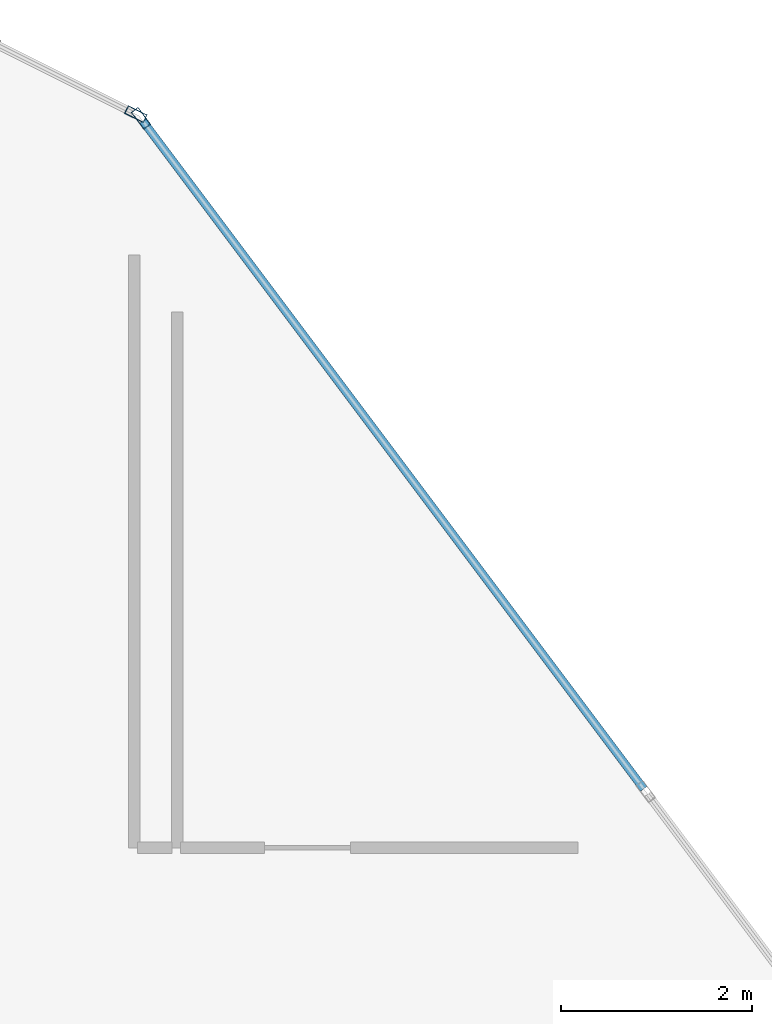
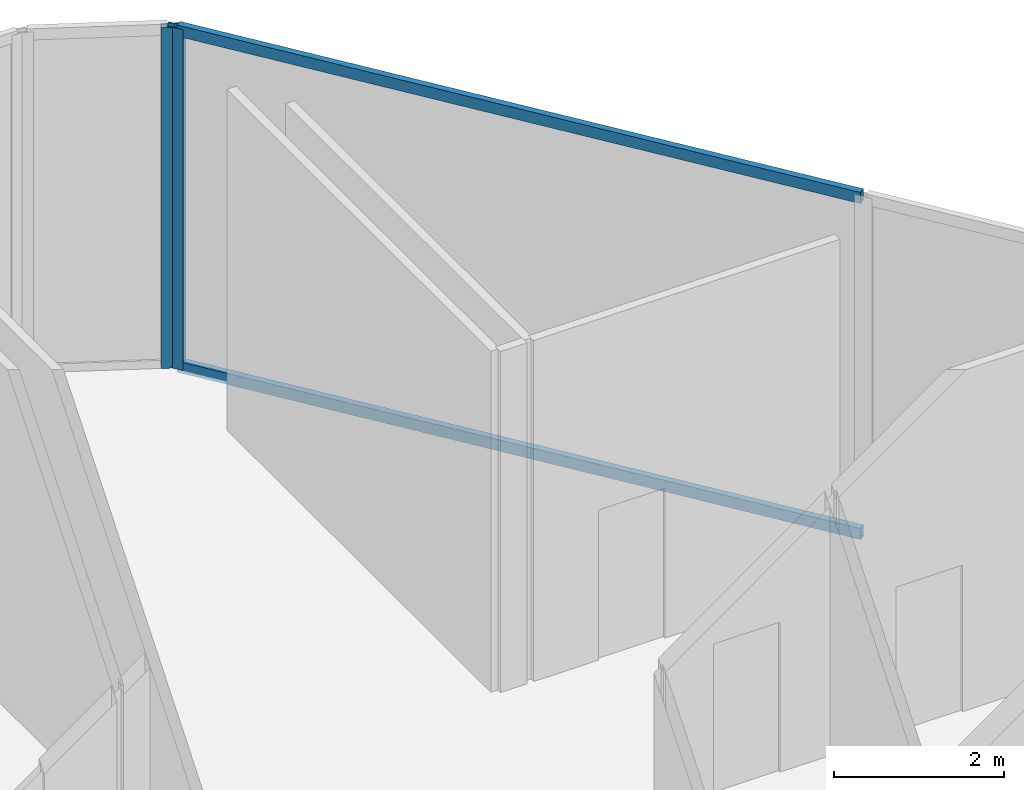
# One storey, part 18 of 36: 4 members, 2 elements without a shape of their own.
"""IFC4 building model written with IfcOpenShell, lengths in metres."""

from ifc_helpers import new_model, si_unit, direction, frame, origin, origin_2d, place, context, subcontext, project, spatial, hollow_rectangle, extrude, material, layer, layer_set, material_profile, profile_set, type_object, element, aggregate, save


model = new_model("IFC4")

# Units and contexts
model_context = context("Model", 3, precision=1e-05, world=origin(), true_north=direction((0.0, 1.0)))
body_context = subcontext(model_context, "Body", "Model", "MODEL_VIEW")
ifc_project = project(units=[si_unit("LENGTHUNIT", "METRE"), si_unit("AREAUNIT", "SQUARE_METRE"), si_unit("VOLUMEUNIT", "CUBIC_METRE"), si_unit("PLANEANGLEUNIT", "RADIAN"), si_unit("MASSUNIT", "GRAM", prefix="KILO")], contexts=[model_context])

# Site, building, storey
site_placement = place(None, origin())
site = spatial("IfcSite", under=ifc_project, at=site_placement, CompositionType="ELEMENT")
building_placement = place(site_placement, origin())
building = spatial("IfcBuilding", under=site, at=building_placement, Name="Keshet Zoharim Tower", CompositionType="ELEMENT")
storey_placement = place(building_placement, frame((0.0, 0.0, 81.199951171875)))
storey = spatial("IfcBuildingStorey", under=building, at=storey_placement, Name="L19", CompositionType="ELEMENT", Elevation=81.199951171875)

# Curtain wall, member
ifc_material = material(Name="Aluminium 6063-T6", Category="aluminium")
ifc_layer = layer(ifc_material, 0.169921875)
ifc_layer_set = layer_set([ifc_layer], Name="Aluminium 6063-T6")
curtain_wall_type = type_object("IfcCurtainWallType", Name="CW-SYS-02", PredefinedType="NOTDEFINED", material=ifc_layer_set)
curtain_wall_1_placement = place(storey_placement, origin())
curtain_wall_1 = element("IfcCurtainWall", 1, at=curtain_wall_1_placement, inside=storey, type_object=curtain_wall_type, Name="L19 Unitised Curtain Wall 08", PredefinedType="NOTDEFINED")
ifc_material_profile_1 = material_profile(ifc_material, hollow_rectangle(XDim=0.090087890625, YDim=0.219970703125, WallThickness=0.0048828125, at=origin_2d()), Name="MUL-90x220")
ifc_profile_set_1 = profile_set([ifc_material_profile_1], Name="Aluminium 6063-T6")
member_type_1 = type_object("IfcMemberType", Name="CWM-M22", PredefinedType="MULLION", material=ifc_profile_set_1)
member_1_placement = place(storey_placement, frame((51.568603515625, 53.11572265625, 0.0), z_axis=(0.0, 0.0, 1.0), x_axis=(0.447213595499, 0.894427191001, 0.0)))
member_1 = element("IfcMember", 2, at=member_1_placement, type_object=member_type_1, Name="CW-02 mullion 2", PredefinedType="MULLION", context=body_context, shape_type="SweptSolid", body=[
    extrude(hollow_rectangle(XDim=0.090087890625, YDim=0.219970703125, WallThickness=0.0048828125, at=origin_2d()), origin(), (0.0, 0.0, 1.0), 4.885009765625),
])
aggregate(curtain_wall_1, [member_1])

# Curtain wall, members
curtain_wall_2_placement = place(storey_placement, origin())
curtain_wall_2 = element("IfcCurtainWall", 3, at=curtain_wall_2_placement, inside=storey, type_object=curtain_wall_type, Name="L19 Unitised Curtain Wall 09", PredefinedType="NOTDEFINED")
member_2_placement = place(storey_placement, frame((51.62109375, 53.072021484375, 0.0), z_axis=(0.0, 0.0, 1.0), x_axis=(0.799999999998, 0.600000000002, 0.0)))
member_2 = element("IfcMember", 4, at=member_2_placement, type_object=member_type_1, Name="CW-02 mullion 1", PredefinedType="MULLION", context=body_context, shape_type="SweptSolid", body=[
    extrude(hollow_rectangle(XDim=0.090087890625, YDim=0.219970703125, WallThickness=0.0048828125, at=origin_2d()), origin(), (0.0, 0.0, 1.0), 4.885009765625),
])
ifc_material_profile_2 = material_profile(ifc_material, hollow_rectangle(XDim=0.0849609375, YDim=0.159912109375, WallThickness=0.00439453125, at=origin_2d()), Name="TRN-85x160")
ifc_profile_set_2 = profile_set([ifc_material_profile_2], Name="Aluminium 6063-T6")
member_type_2 = type_object("IfcMemberType", Name="CWT-T16", PredefinedType="USERDEFINED", material=ifc_profile_set_2)
member_3_placement = place(storey_placement, frame((51.64208984375, 53.0439453125, 0.03515625), z_axis=(0.599991043201, -0.800006717521, 0.0), x_axis=(0.800006717521, 0.599991043201, 0.0)))
member_3 = element("IfcMember", 5, at=member_3_placement, type_object=member_type_2, Name="CW-02 transom 1.1", ObjectType="TRANSOM", PredefinedType="USERDEFINED", context=body_context, shape_type="SweptSolid", body=[
    extrude(hollow_rectangle(XDim=0.0849609375, YDim=0.159912109375, WallThickness=0.00439453125, at=origin_2d()), origin(), (0.0, 0.0, 1.0), 8.722412109375),
])
member_4_placement = place(storey_placement, frame((51.64208984375, 53.0439453125, 4.85009765625), z_axis=(0.599991043201, -0.800006717521, 0.0), x_axis=(0.800006717521, 0.599991043201, 0.0)))
member_4 = element("IfcMember", 6, at=member_4_placement, type_object=member_type_2, Name="CW-02 transom 1.2", ObjectType="TRANSOM", PredefinedType="USERDEFINED", context=body_context, shape_type="SweptSolid", body=[
    extrude(hollow_rectangle(XDim=0.0849609375, YDim=0.159912109375, WallThickness=0.00439453125, at=origin_2d()), origin(), (0.0, 0.0, 1.0), 8.722412109375),
])
aggregate(curtain_wall_2, [member_2, member_3, member_4])

save(model, "model.ifc")
